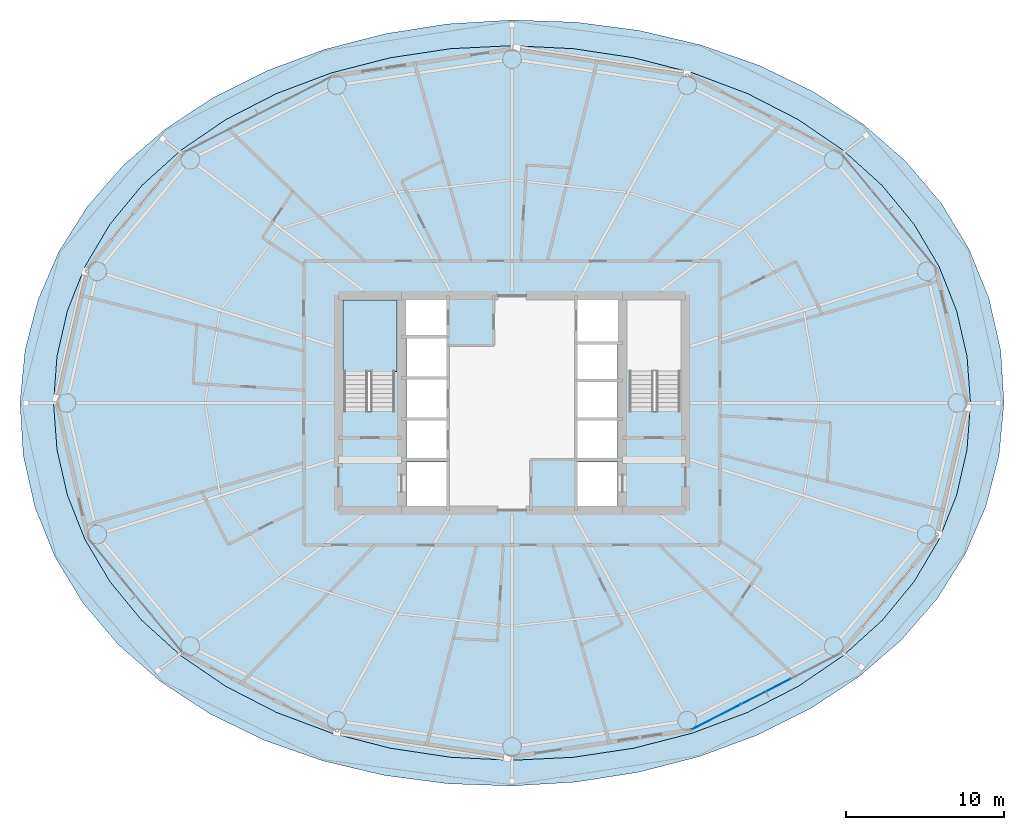
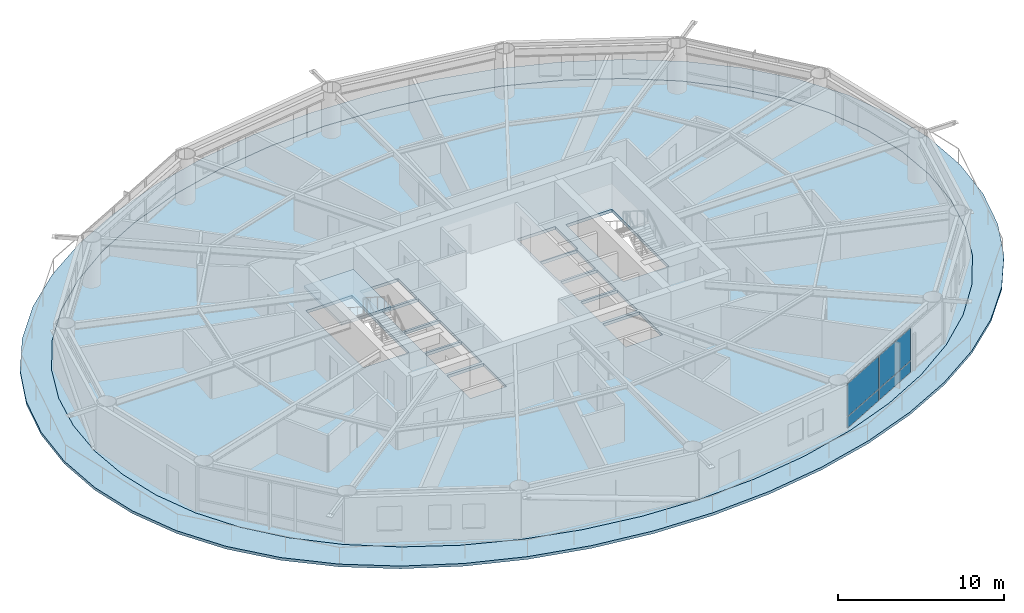
# One storey, part 15 of 24: 4 plates, 3 slabs, 2 elements without a shape of their own.
"""IFC4 building model written with IfcOpenShell, lengths in metres."""

from ifc_helpers import new_model, si_unit, direction, frame, origin, origin_2d, place, context, subcontext, project, spatial, polyline, rectangle, outline, extrude, material, layer, layer_set, type_object, element, aggregate, save


model = new_model("IFC4")

# Units and contexts
model_context = context("Model", 3, precision=1e-05, world=origin(), true_north=direction((0.0, 1.0)))
body_context = subcontext(model_context, "Body", "Model", "MODEL_VIEW")
ifc_project = project(units=[si_unit("LENGTHUNIT", "METRE"), si_unit("AREAUNIT", "SQUARE_METRE"), si_unit("VOLUMEUNIT", "CUBIC_METRE"), si_unit("PLANEANGLEUNIT", "RADIAN"), si_unit("MASSUNIT", "GRAM", prefix="KILO")], contexts=[model_context])

# Site, building, storey
site_placement = place(None, origin())
site = spatial("IfcSite", under=ifc_project, at=site_placement, CompositionType="ELEMENT")
building_placement = place(site_placement, origin())
building = spatial("IfcBuilding", under=site, at=building_placement, Name="Sarneth Arch Tower", CompositionType="ELEMENT")
storey_placement = place(building_placement, frame((0.0, 0.0, 102.0)))
storey = spatial("IfcBuildingStorey", under=building, at=storey_placement, Name="L25", CompositionType="ELEMENT", Elevation=102.0)

# Curtain wall, plates
ifc_material_1 = material(Name="Anodised aluminium Type AA25 and solar-control low-e laminated IGU", Category="aluminium")
ifc_layer_1 = layer(ifc_material_1, 0.159912109375)
ifc_layer_set_1 = layer_set([ifc_layer_1], Name="Anodised aluminium Type AA25 and solar-control low-e laminated IGU")
curtain_wall_type = type_object("IfcCurtainWallType", Name="CW-HOTEL-MID", PredefinedType="NOTDEFINED", material=ifc_layer_set_1)
curtain_wall_placement = place(storey_placement, origin())
curtain_wall = element("IfcCurtainWall", 1, at=curtain_wall_placement, inside=storey, type_object=curtain_wall_type, Name="L25 Unitised curtain wall facet 14", PredefinedType="NOTDEFINED")
ifc_material_2 = material(Name="Solar-control low-e laminated IGU", Category="glass")
ifc_layer_2 = layer(ifc_material_2, 0.028076171875)
ifc_layer_set_2 = layer_set([ifc_layer_2], Name="Solar-control low-e laminated IGU")
plate_type = type_object("IfcPlateType", Name="CW-PANEL", PredefinedType="CURTAIN_PANEL", material=ifc_layer_set_2)
plate_1_placement = place(storey_placement, frame((60.946044921875, 22.094482421875, 0.06005859375), z_axis=(0.0, 0.0, 1.0), x_axis=(0.889963703649, 0.456031365356, 0.0)))
plate_1 = element("IfcPlate", 2, at=plate_1_placement, type_object=plate_type, Name="Curtain wall glazed vision pane CW-L25-F14/P00-00", PredefinedType="CURTAIN_PANEL", context=body_context, shape_type="SweptSolid", body=[
    extrude(rectangle(XDim=3.464111328125, YDim=0.028076171875, at=origin_2d()), origin(), (0.0, 0.0, 1.0), 0.81005859375),
])
plate_2_placement = place(storey_placement, frame((60.946044921875, 22.094482421875, 0.93017578125), z_axis=(0.0, 0.0, 1.0), x_axis=(0.889963703649, 0.456031365356, 0.0)))
plate_2 = element("IfcPlate", 3, at=plate_2_placement, type_object=plate_type, Name="Curtain wall glazed vision pane CW-L25-F14/P00-01", PredefinedType="CURTAIN_PANEL", context=body_context, shape_type="SweptSolid", body=[
    extrude(rectangle(XDim=3.464111328125, YDim=0.028076171875, at=origin_2d()), origin(), (0.0, 0.0, 1.0), 2.389892578125),
])
plate_3_placement = place(storey_placement, frame((64.095703125, 23.70849609375, 0.06005859375), z_axis=(0.0, 0.0, 1.0), x_axis=(0.889963703649, 0.456031365356, 0.0)))
plate_3 = element("IfcPlate", 4, at=plate_3_placement, type_object=plate_type, Name="Curtain wall glazed vision pane CW-L25-F14/P01-00", PredefinedType="CURTAIN_PANEL", context=body_context, shape_type="SweptSolid", body=[
    extrude(rectangle(XDim=3.493896484375, YDim=0.028076171875, at=origin_2d()), origin(), (0.0, 0.0, 1.0), 0.81005859375),
])
plate_4_placement = place(storey_placement, frame((64.095703125, 23.70849609375, 0.93017578125), z_axis=(0.0, 0.0, 1.0), x_axis=(0.889963703649, 0.456031365356, 0.0)))
plate_4 = element("IfcPlate", 5, at=plate_4_placement, type_object=plate_type, Name="Curtain wall glazed vision pane CW-L25-F14/P01-01", PredefinedType="CURTAIN_PANEL", context=body_context, shape_type="SweptSolid", body=[
    extrude(rectangle(XDim=3.493896484375, YDim=0.028076171875, at=origin_2d()), origin(), (0.0, 0.0, 1.0), 2.389892578125),
])
aggregate(curtain_wall, [plate_1, plate_2, plate_3, plate_4])

# Slab
ifc_material_3 = material(Name="Concrete C50/60", Category="concrete")
ifc_layer_3 = layer(ifc_material_3, 0.199951171875)
ifc_layer_set_3 = layer_set([ifc_layer_3], Name="Concrete C50/60")
slab_type_1 = type_object("IfcSlabType", Name="SLAB-BALC-200", PredefinedType="FLOOR", material=ifc_layer_set_3)
slab_1_placement = place(storey_placement, frame((0.0, 0.0, -0.199951171875)))
element("IfcSlab", 6, at=slab_1_placement, inside=storey, type_object=slab_type_1, Name="L25 Helical balcony band slab", PredefinedType="FLOOR", context=body_context, shape_type="SweptSolid", body=[
    extrude(outline(polyline([(79.186767578125, 42.0), (78.97802734375, 45.337890625), (78.24072265625, 48.6103515625), (76.98046875, 51.739501953125), (75.210205078125, 54.659912109375), (72.953857421875, 57.320556640625), (70.247314453125, 59.681396484375), (67.140380859375, 61.7109375), (63.696533203125, 63.385498046875), (59.988037109375, 64.68798828125), (56.088623046875, 65.60693359375), (52.0703125, 66.136474609375), (48.0, 66.276123046875), (43.9404296875, 66.02880859375), (39.953125, 65.402099609375), (36.1005859375, 64.406005859375), (32.4482421875, 63.053955078125), (29.061767578125, 61.361572265625), (26.00390625, 59.347412109375), (23.327880859375, 57.03173828125), (21.07568359375, 54.4384765625), (19.277587890625, 51.595458984375), (17.95556640625, 48.539306640625), (17.12841796875, 45.31884765625), (16.813232421875, 42.0), (17.02197265625, 38.662109375), (17.75927734375, 35.3896484375), (19.01953125, 32.260498046875), (20.789794921875, 29.340087890625), (23.046142578125, 26.679443359375), (25.752685546875, 24.318603515625), (28.859619140625, 22.2890625), (32.303466796875, 20.614501953125), (36.011962890625, 19.31201171875), (39.911376953125, 18.39306640625), (43.9296875, 17.863525390625), (48.0, 17.723876953125), (52.0595703125, 17.97119140625), (56.046875, 18.597900390625), (59.8994140625, 19.593994140625), (63.5517578125, 20.946044921875), (66.938232421875, 22.638427734375), (69.99609375, 24.652587890625), (72.672119140625, 26.96826171875), (74.92431640625, 29.5615234375), (76.722412109375, 32.404541015625), (78.04443359375, 35.460693359375), (78.87158203125, 38.68115234375), (79.186767578125, 42.0)]), holes=[polyline([(77.062744140625, 42.0), (76.84228515625, 44.956298828125), (76.17724609375, 47.8623046875), (75.060546875, 50.667724609375), (73.486328125, 53.324951171875), (71.458251953125, 55.788330078125), (68.994384765625, 58.015869140625), (66.132080078125, 59.969482421875), (62.923828125, 61.615478515625), (59.435302734375, 62.92578125), (55.73779296875, 63.878173828125), (51.902587890625, 64.456298828125), (48.0, 64.64990234375), (44.097412109375, 64.456298828125), (40.26220703125, 63.878173828125), (36.564697265625, 62.92578125), (33.076171875, 61.615478515625), (29.867919921875, 59.969482421875), (27.005615234375, 58.015869140625), (24.541748046875, 55.788330078125), (22.513671875, 53.324951171875), (20.939453125, 50.667724609375), (19.82275390625, 47.8623046875), (19.15771484375, 44.956298828125), (18.937255859375, 42.0), (19.15771484375, 39.043701171875), (19.82275390625, 36.1376953125), (20.939453125, 33.332275390625), (22.513671875, 30.675048828125), (24.541748046875, 28.211669921875), (27.005615234375, 25.984130859375), (29.867919921875, 24.030517578125), (33.076171875, 22.384521484375), (36.564697265625, 21.07421875), (40.26220703125, 20.121826171875), (44.097412109375, 19.543701171875), (48.0, 19.35009765625), (51.902587890625, 19.543701171875), (55.73779296875, 20.121826171875), (59.435302734375, 21.07421875), (62.923828125, 22.384521484375), (66.132080078125, 24.030517578125), (68.994384765625, 25.984130859375), (71.458251953125, 28.211669921875), (73.486328125, 30.675048828125), (75.060546875, 33.332275390625), (76.17724609375, 36.1376953125), (76.84228515625, 39.043701171875), (77.062744140625, 42.0)])]), origin(), (0.0, 0.0, 1.0), 0.199951171875),
])

# Stair, slab
ifc_material_4 = material(Name="Concrete C50/60", Category="concrete")
stair_type = type_object("IfcStairType", Name="STAIR-CORE-RC", PredefinedType="HALF_TURN_STAIR", material=ifc_material_4)
stair_placement = place(storey_placement, origin())
stair = element("IfcStair", 7, at=stair_placement, inside=storey, type_object=stair_type, Name="L25 Core Exit Stair 1", PredefinedType="HALF_TURN_STAIR")
ifc_material_5 = material(Name="Concrete C50/60", Category="concrete")
ifc_layer_4 = layer(ifc_material_5, 0.199951171875)
ifc_layer_set_4 = layer_set([ifc_layer_4], Name="Concrete C50/60")
slab_type_2 = type_object("IfcSlabType", Name="SLAB-LANDING-200", PredefinedType="LANDING", material=ifc_layer_set_4)
slab_2_placement = place(storey_placement, frame((0.0, 0.0, 1.60009765625)))
slab_2 = element("IfcSlab", 8, at=slab_2_placement, type_object=slab_type_2, Name="ST-1 landing 1", PredefinedType="LANDING", context=body_context, shape_type="SweptSolid", body=[
    extrude(outline(polyline([(37.27490234375, 43.985107421875), (40.72509765625, 43.985107421875), (40.72509765625, 48.52490234375), (37.27490234375, 48.52490234375), (37.27490234375, 43.985107421875)])), origin(), (0.0, 0.0, 1.0), 0.199951171875),
])
aggregate(stair, [slab_2])

# Slab
ifc_material_6 = material(Name="Concrete C50/60", Category="concrete")
ifc_layer_5 = layer(ifc_material_6, 0.219970703125)
ifc_layer_set_5 = layer_set([ifc_layer_5], Name="Concrete C50/60")
slab_type_3 = type_object("IfcSlabType", Name="SLAB-TOWER-220", PredefinedType="FLOOR", material=ifc_layer_set_5)
slab_3_placement = place(storey_placement, frame((0.0, 0.0, -0.219970703125)))
element("IfcSlab", 9, at=slab_3_placement, inside=storey, type_object=slab_type_3, Name="L25 Elliptical floor slab", PredefinedType="FLOOR", context=body_context, shape_type="SweptSolid", body=[
    extrude(outline(polyline([(77.062744140625, 42.0), (76.84228515625, 44.956298828125), (76.17724609375, 47.8623046875), (75.060546875, 50.667724609375), (73.486328125, 53.324951171875), (71.458251953125, 55.788330078125), (68.994384765625, 58.015869140625), (66.132080078125, 59.969482421875), (62.923828125, 61.615478515625), (59.435302734375, 62.92578125), (55.73779296875, 63.878173828125), (51.902587890625, 64.456298828125), (48.0, 64.64990234375), (44.097412109375, 64.456298828125), (40.26220703125, 63.878173828125), (36.564697265625, 62.92578125), (33.076171875, 61.615478515625), (29.867919921875, 59.969482421875), (27.005615234375, 58.015869140625), (24.541748046875, 55.788330078125), (22.513671875, 53.324951171875), (20.939453125, 50.667724609375), (19.82275390625, 47.8623046875), (19.15771484375, 44.956298828125), (18.937255859375, 42.0), (19.15771484375, 39.043701171875), (19.82275390625, 36.1376953125), (20.939453125, 33.332275390625), (22.513671875, 30.675048828125), (24.541748046875, 28.211669921875), (27.005615234375, 25.984130859375), (29.867919921875, 24.030517578125), (33.076171875, 22.384521484375), (36.564697265625, 21.07421875), (40.26220703125, 20.121826171875), (44.097412109375, 19.543701171875), (48.0, 19.35009765625), (51.902587890625, 19.543701171875), (55.73779296875, 20.121826171875), (59.435302734375, 21.07421875), (62.923828125, 22.384521484375), (66.132080078125, 24.030517578125), (68.994384765625, 25.984130859375), (71.458251953125, 28.211669921875), (73.486328125, 30.675048828125), (75.060546875, 33.332275390625), (76.17724609375, 36.1376953125), (76.84228515625, 39.043701171875), (77.062744140625, 42.0)]), holes=[polyline([(37.35009765625, 41.489990234375), (40.550048828125, 41.489990234375), (40.550048828125, 48.39990234375), (37.35009765625, 48.39990234375), (37.35009765625, 41.489990234375)]), polyline([(55.449951171875, 41.489990234375), (58.64990234375, 41.489990234375), (58.64990234375, 48.39990234375), (55.449951171875, 48.39990234375), (55.449951171875, 41.489990234375)]), polyline([(41.199951171875, 46.25), (43.85009765625, 46.25), (43.85009765625, 48.550048828125), (41.199951171875, 48.550048828125), (41.199951171875, 46.25)]), polyline([(41.300048828125, 35.449951171875), (43.85009765625, 35.449951171875), (43.85009765625, 38.25), (41.300048828125, 38.25), (41.300048828125, 35.449951171875)]), polyline([(52.14990234375, 35.449951171875), (54.699951171875, 35.449951171875), (54.699951171875, 38.25), (52.14990234375, 38.25), (52.14990234375, 35.449951171875)]), polyline([(52.14990234375, 45.85009765625), (54.800048828125, 45.85009765625), (54.800048828125, 48.550048828125), (52.14990234375, 48.550048828125), (52.14990234375, 45.85009765625)]), polyline([(41.300048828125, 38.449951171875), (43.85009765625, 38.449951171875), (43.85009765625, 40.89990234375), (41.300048828125, 40.89990234375), (41.300048828125, 38.449951171875)]), polyline([(41.300048828125, 41.050048828125), (43.85009765625, 41.050048828125), (43.85009765625, 43.5), (41.300048828125, 43.5), (41.300048828125, 41.050048828125)]), polyline([(41.300048828125, 43.64990234375), (43.85009765625, 43.64990234375), (43.85009765625, 46.10009765625), (41.300048828125, 46.10009765625), (41.300048828125, 43.64990234375)]), polyline([(52.14990234375, 38.449951171875), (54.699951171875, 38.449951171875), (54.699951171875, 40.89990234375), (52.14990234375, 40.89990234375), (52.14990234375, 38.449951171875)]), polyline([(52.14990234375, 41.050048828125), (54.699951171875, 41.050048828125), (54.699951171875, 43.35009765625), (52.14990234375, 43.35009765625), (52.14990234375, 41.050048828125)]), polyline([(52.14990234375, 43.5), (54.699951171875, 43.5), (54.699951171875, 45.75), (52.14990234375, 45.75), (52.14990234375, 43.5)])]), origin(), (0.0, 0.0, 1.0), 0.219970703125),
])

save(model, "model.ifc")
